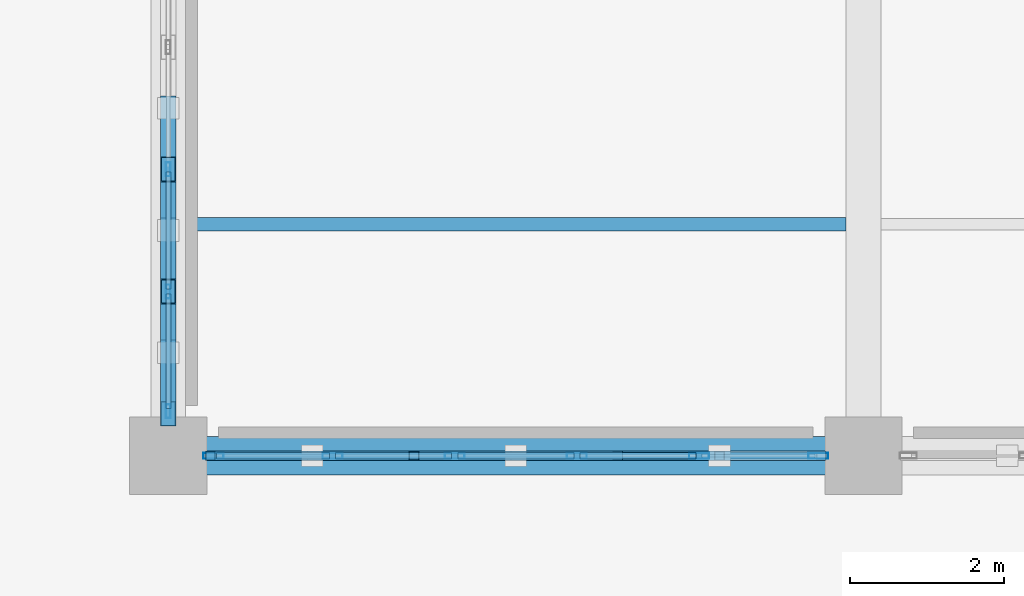
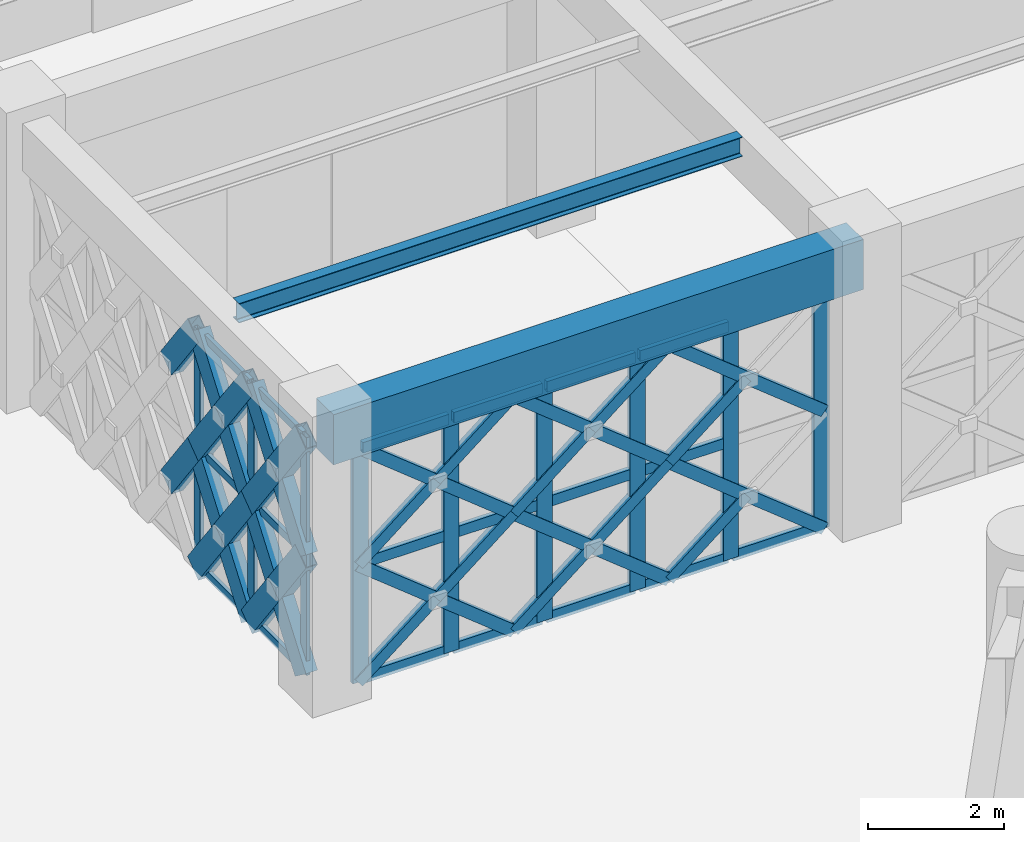
# One storey, part 54 of 140: 58 members, 2 beams, 2 elements without a shape of their own.
"""IFC4 building model written with IfcOpenShell, lengths in metres."""

from ifc_helpers import new_model, si_unit, direction, frame, origin, origin_2d, place, context, subcontext, project, spatial, rectangle, hollow_rectangle, i_section, extrude, material, material_profile, profile_set, type_object, element, aggregate, save


model = new_model("IFC4")

# Units and contexts
model_context = context("Model", 3, precision=1e-05, world=origin(), true_north=direction((0.0, 1.0)))
body_context = subcontext(model_context, "Body", "Model", "MODEL_VIEW")
ifc_project = project(units=[si_unit("LENGTHUNIT", "METRE"), si_unit("AREAUNIT", "SQUARE_METRE"), si_unit("VOLUMEUNIT", "CUBIC_METRE"), si_unit("PLANEANGLEUNIT", "RADIAN"), si_unit("MASSUNIT", "GRAM", prefix="KILO")], contexts=[model_context])

# Site, building, storey
site_placement = place(None, origin())
site = spatial("IfcSite", under=ifc_project, at=site_placement, CompositionType="ELEMENT")
building_placement = place(site_placement, origin())
building = spatial("IfcBuilding", under=site, at=building_placement, Name="Haizhuo Lancet Aquarium", CompositionType="ELEMENT")
storey_placement = place(building_placement, origin())
storey = spatial("IfcBuildingStorey", under=building, at=storey_placement, Name="L00", CompositionType="ELEMENT", Elevation=0.0)

# Beam
ifc_material_1 = material(Name="Concrete C40/50", Category="concrete")
ifc_material_profile_1 = material_profile(ifc_material_1, rectangle(XDim=0.5, YDim=0.89990234375, at=origin_2d()), Name="RC-BM 500x900")
ifc_profile_set_1 = profile_set([ifc_material_profile_1], Name="Concrete C40/50")
beam_type_1 = type_object("IfcBeamType", Name="BM-RC-500x900", PredefinedType="BEAM", material=ifc_profile_set_1)
beam_1_placement = place(storey_placement, frame((-18.0, 27.0, 4.669921875), z_axis=(1.0, 0.0, 0.0), x_axis=(0.0, 1.0, 0.0)))
element("IfcBeam", 1, at=beam_1_placement, inside=storey, type_object=beam_type_1, Name="L00 V5 primary girder BM-L00-V5-004", PredefinedType="BEAM", context=body_context, shape_type="SweptSolid", body=[
    extrude(rectangle(XDim=0.5, YDim=0.89990234375, at=origin_2d()), origin(), (0.0, 0.0, 1.0), 9.0),
])

# Curtain wall, members
ifc_material_2 = material(Name="Aluminium 6063-T6", Category="aluminium")
curtain_wall_type_1 = type_object("IfcCurtainWallType", Name="CWD-7910x4270", PredefinedType="NOTDEFINED", material=ifc_material_2)
curtain_wall_1_placement = place(storey_placement, origin())
curtain_wall_1 = element("IfcCurtainWall", 2, at=curtain_wall_1_placement, inside=storey, type_object=curtain_wall_type_1, Name="L00 curtain wall CW-V5-L00-127", PredefinedType="NOTDEFINED")
ifc_material_profile_2 = material_profile(ifc_material_2, hollow_rectangle(XDim=0.06494140625, YDim=0.179931640625, WallThickness=0.00390625, at=origin_2d()), Name="ALU-M 65x180x4")
ifc_profile_set_2 = profile_set([ifc_material_profile_2], Name="Aluminium 6063-T6")
member_type_1 = type_object("IfcMemberType", Name="CW-MUL-1", PredefinedType="MULLION", material=ifc_profile_set_2)
member_1_placement = place(storey_placement, frame((-18.0, 27.577880859375, 0.0), z_axis=(0.0, 0.0, 1.0), x_axis=(-1.0, 0.0, 0.0)))
member_1 = element("IfcMember", 3, at=member_1_placement, type_object=member_type_1, Name="CWD-79x42 mullion 1", PredefinedType="MULLION", context=body_context, shape_type="SweptSolid", body=[
    extrude(hollow_rectangle(XDim=0.06494140625, YDim=0.179931640625, WallThickness=0.00390625, at=origin_2d()), origin(), (0.0, 0.0, 1.0), 4.27001953125),
])
member_2_placement = place(storey_placement, frame((-18.0, 29.126953125, 0.0), z_axis=(0.0, 0.0, 1.0), x_axis=(-1.0, 0.0, 0.0)))
member_2 = element("IfcMember", 4, at=member_2_placement, type_object=member_type_1, Name="CWD-79x42 mullion 2", PredefinedType="MULLION", context=body_context, shape_type="SweptSolid", body=[
    extrude(hollow_rectangle(XDim=0.06494140625, YDim=0.179931640625, WallThickness=0.00390625, at=origin_2d()), origin(), (0.0, 0.0, 1.0), 4.27001953125),
])
member_3_placement = place(storey_placement, frame((-18.0, 30.708984375, 0.0), z_axis=(0.0, 0.0, 1.0), x_axis=(-1.0, 0.0, 0.0)))
member_3 = element("IfcMember", 5, at=member_3_placement, type_object=member_type_1, Name="CWD-79x42 mullion 3", PredefinedType="MULLION", context=body_context, shape_type="SweptSolid", body=[
    extrude(hollow_rectangle(XDim=0.06494140625, YDim=0.179931640625, WallThickness=0.00390625, at=origin_2d()), origin(), (0.0, 0.0, 1.0), 4.27001953125),
])

curtain_wall_type_2 = type_object("IfcCurtainWallType", Name="CWO-7910x4220", PredefinedType="NOTDEFINED", material=ifc_material_2)
curtain_wall_2_placement = place(storey_placement, origin())
curtain_wall_2 = element("IfcCurtainWall", 6, at=curtain_wall_2_placement, inside=storey, type_object=curtain_wall_type_2, Name="L00 curtain wall CW-V5-L00-126", PredefinedType="NOTDEFINED")
ifc_material_profile_3 = material_profile(ifc_material_2, hollow_rectangle(XDim=0.080078125, YDim=0.260009765625, WallThickness=0.0048828125, at=origin_2d()), Name="ALU-M 80x260x5")
ifc_profile_set_3 = profile_set([ifc_material_profile_3], Name="Aluminium 6063-T6")
member_type_2 = type_object("IfcMemberType", Name="CW-MUL-3", PredefinedType="MULLION", material=ifc_profile_set_3)
member_4_placement = place(storey_placement, frame((-9.5849609375, 27.0, 0.0), z_axis=(0.0, 0.0, 1.0), x_axis=(0.0, -1.0, 0.0)))
member_4 = element("IfcMember", 7, at=member_4_placement, type_object=member_type_2, Name="CWO-79x42 mullion 1", PredefinedType="MULLION", context=body_context, shape_type="SweptSolid", body=[
    extrude(hollow_rectangle(XDim=0.080078125, YDim=0.260009765625, WallThickness=0.0048828125, at=origin_2d()), origin(), (0.0, 0.0, 1.0), 4.219970703125),
])
member_5_placement = place(storey_placement, frame((-11.126953125, 27.0, 0.0), z_axis=(0.0, 0.0, 1.0), x_axis=(0.0, -1.0, 0.0)))
member_5 = element("IfcMember", 8, at=member_5_placement, type_object=member_type_2, Name="CWO-79x42 mullion 2", PredefinedType="MULLION", context=body_context, shape_type="SweptSolid", body=[
    extrude(hollow_rectangle(XDim=0.080078125, YDim=0.260009765625, WallThickness=0.0048828125, at=origin_2d()), origin(), (0.0, 0.0, 1.0), 4.219970703125),
])
member_6_placement = place(storey_placement, frame((-12.708984375, 27.0, 0.0), z_axis=(0.0, 0.0, 1.0), x_axis=(0.0, -1.0, 0.0)))
member_6 = element("IfcMember", 9, at=member_6_placement, type_object=member_type_2, Name="CWO-79x42 mullion 3", PredefinedType="MULLION", context=body_context, shape_type="SweptSolid", body=[
    extrude(hollow_rectangle(XDim=0.080078125, YDim=0.260009765625, WallThickness=0.0048828125, at=origin_2d()), origin(), (0.0, 0.0, 1.0), 4.219970703125),
])
member_7_placement = place(storey_placement, frame((-14.291015625, 27.0, 0.0), z_axis=(0.0, 0.0, 1.0), x_axis=(0.0, -1.0, 0.0)))
member_7 = element("IfcMember", 10, at=member_7_placement, type_object=member_type_2, Name="CWO-79x42 mullion 4", PredefinedType="MULLION", context=body_context, shape_type="SweptSolid", body=[
    extrude(hollow_rectangle(XDim=0.080078125, YDim=0.260009765625, WallThickness=0.0048828125, at=origin_2d()), origin(), (0.0, 0.0, 1.0), 4.219970703125),
])
member_8_placement = place(storey_placement, frame((-15.873046875, 27.0, 0.0), z_axis=(0.0, 0.0, 1.0), x_axis=(0.0, -1.0, 0.0)))
member_8 = element("IfcMember", 11, at=member_8_placement, type_object=member_type_2, Name="CWO-79x42 mullion 5", PredefinedType="MULLION", context=body_context, shape_type="SweptSolid", body=[
    extrude(hollow_rectangle(XDim=0.080078125, YDim=0.260009765625, WallThickness=0.0048828125, at=origin_2d()), origin(), (0.0, 0.0, 1.0), 4.219970703125),
])
member_9_placement = place(storey_placement, frame((-17.4150390625, 27.0, 0.0), z_axis=(0.0, 0.0, 1.0), x_axis=(0.0, -1.0, 0.0)))
member_9 = element("IfcMember", 12, at=member_9_placement, type_object=member_type_2, Name="CWO-79x42 mullion 6", PredefinedType="MULLION", context=body_context, shape_type="SweptSolid", body=[
    extrude(hollow_rectangle(XDim=0.080078125, YDim=0.260009765625, WallThickness=0.0048828125, at=origin_2d()), origin(), (0.0, 0.0, 1.0), 4.219970703125),
])

# Member
ifc_material_profile_4 = material_profile(ifc_material_2, hollow_rectangle(XDim=0.06494140625, YDim=0.139892578125, WallThickness=0.00390625, at=origin_2d()), Name="ALU-T 65x140x4")
ifc_profile_set_4 = profile_set([ifc_material_profile_4], Name="Aluminium 6063-T6")
member_type_3 = type_object("IfcMemberType", Name="CW-TRN-1", PredefinedType="NOTDEFINED", material=ifc_profile_set_4)
member_10_placement = place(storey_placement, frame((-18.0, 27.610107421875, 0.032958984375), z_axis=(0.0, 1.0, 0.0), x_axis=(-1.0, 0.0, 0.0)))
member_10 = element("IfcMember", 13, at=member_10_placement, type_object=member_type_3, Name="CWD-79x42 transom 1.1", ObjectType="TRANSOM", PredefinedType="USERDEFINED", context=body_context, shape_type="SweptSolid", body=[
    extrude(hollow_rectangle(XDim=0.06494140625, YDim=0.139892578125, WallThickness=0.00390625, at=origin_2d()), origin(), (0.0, 0.0, 1.0), 1.48486328125),
])

member_11_placement = place(storey_placement, frame((-18.0, 27.610107421875, 2.135009765625), z_axis=(0.0, 1.0, 0.0), x_axis=(-1.0, 0.0, 0.0)))
member_11 = element("IfcMember", 14, at=member_11_placement, type_object=member_type_3, Name="CWD-79x42 transom 1.2", ObjectType="TRANSOM", PredefinedType="USERDEFINED", context=body_context, shape_type="SweptSolid", body=[
    extrude(hollow_rectangle(XDim=0.06494140625, YDim=0.139892578125, WallThickness=0.00390625, at=origin_2d()), origin(), (0.0, 0.0, 1.0), 1.48486328125),
])

member_12_placement = place(storey_placement, frame((-18.0, 27.610107421875, 4.237060546875), z_axis=(0.0, 1.0, 0.0), x_axis=(-1.0, 0.0, 0.0)))
member_12 = element("IfcMember", 15, at=member_12_placement, type_object=member_type_3, Name="CWD-79x42 transom 1.3", ObjectType="TRANSOM", PredefinedType="USERDEFINED", context=body_context, shape_type="SweptSolid", body=[
    extrude(hollow_rectangle(XDim=0.06494140625, YDim=0.139892578125, WallThickness=0.00390625, at=origin_2d()), origin(), (0.0, 0.0, 1.0), 1.48486328125),
])

member_13_placement = place(storey_placement, frame((-18.0, 29.159912109375, 0.032958984375), z_axis=(0.0, 1.0, 0.0), x_axis=(-1.0, 0.0, 0.0)))
member_13 = element("IfcMember", 16, at=member_13_placement, type_object=member_type_3, Name="CWD-79x42 transom 2.1", ObjectType="TRANSOM", PredefinedType="USERDEFINED", context=body_context, shape_type="SweptSolid", body=[
    extrude(hollow_rectangle(XDim=0.06494140625, YDim=0.139892578125, WallThickness=0.00390625, at=origin_2d()), origin(), (0.0, 0.0, 1.0), 1.51708984375),
])

member_14_placement = place(storey_placement, frame((-18.0, 29.159912109375, 2.135009765625), z_axis=(0.0, 1.0, 0.0), x_axis=(-1.0, 0.0, 0.0)))
member_14 = element("IfcMember", 17, at=member_14_placement, type_object=member_type_3, Name="CWD-79x42 transom 2.2", ObjectType="TRANSOM", PredefinedType="USERDEFINED", context=body_context, shape_type="SweptSolid", body=[
    extrude(hollow_rectangle(XDim=0.06494140625, YDim=0.139892578125, WallThickness=0.00390625, at=origin_2d()), origin(), (0.0, 0.0, 1.0), 1.51708984375),
])

member_15_placement = place(storey_placement, frame((-18.0, 29.159912109375, 4.237060546875), z_axis=(0.0, 1.0, 0.0), x_axis=(-1.0, 0.0, 0.0)))
member_15 = element("IfcMember", 18, at=member_15_placement, type_object=member_type_3, Name="CWD-79x42 transom 2.3", ObjectType="TRANSOM", PredefinedType="USERDEFINED", context=body_context, shape_type="SweptSolid", body=[
    extrude(hollow_rectangle(XDim=0.06494140625, YDim=0.139892578125, WallThickness=0.00390625, at=origin_2d()), origin(), (0.0, 0.0, 1.0), 1.51708984375),
])

aggregate(curtain_wall_1, [member_1, member_2, member_3, member_10, member_11, member_12, member_13, member_14, member_15])

ifc_material_profile_5 = material_profile(ifc_material_2, hollow_rectangle(XDim=0.080078125, YDim=0.18994140625, WallThickness=0.0048828125, at=origin_2d()), Name="ALU-T 80x190x5")
ifc_profile_set_5 = profile_set([ifc_material_profile_5], Name="Aluminium 6063-T6")
member_type_4 = type_object("IfcMemberType", Name="CW-TRN-3", PredefinedType="NOTDEFINED", material=ifc_profile_set_5)
member_16_placement = place(storey_placement, frame((-9.625, 27.0, 0.0400390625), z_axis=(-1.0, 0.0, 0.0), x_axis=(0.0, -1.0, 0.0)))
member_16 = element("IfcMember", 19, at=member_16_placement, type_object=member_type_4, Name="CWO-79x42 transom 1.1", ObjectType="TRANSOM", PredefinedType="USERDEFINED", context=body_context, shape_type="SweptSolid", body=[
    extrude(hollow_rectangle(XDim=0.080078125, YDim=0.18994140625, WallThickness=0.0048828125, at=origin_2d()), origin(), (0.0, 0.0, 1.0), 1.4619140625),
])

member_17_placement = place(storey_placement, frame((-11.1669921875, 27.0, 0.0400390625), z_axis=(-1.0, 0.0, 0.0), x_axis=(0.0, -1.0, 0.0)))
member_17 = element("IfcMember", 20, at=member_17_placement, type_object=member_type_4, Name="CWO-79x42 transom 2.1", ObjectType="TRANSOM", PredefinedType="USERDEFINED", context=body_context, shape_type="SweptSolid", body=[
    extrude(hollow_rectangle(XDim=0.080078125, YDim=0.18994140625, WallThickness=0.0048828125, at=origin_2d()), origin(), (0.0, 0.0, 1.0), 1.501953125),
])

member_18_placement = place(storey_placement, frame((-11.1669921875, 27.0, 2.110107421875), z_axis=(-1.0, 0.0, 0.0), x_axis=(0.0, -1.0, 0.0)))
member_18 = element("IfcMember", 21, at=member_18_placement, type_object=member_type_4, Name="CWO-79x42 transom 2.2", ObjectType="TRANSOM", PredefinedType="USERDEFINED", context=body_context, shape_type="SweptSolid", body=[
    extrude(hollow_rectangle(XDim=0.080078125, YDim=0.18994140625, WallThickness=0.0048828125, at=origin_2d()), origin(), (0.0, 0.0, 1.0), 1.501953125),
])

member_19_placement = place(storey_placement, frame((-11.1669921875, 27.0, 4.179931640625), z_axis=(-1.0, 0.0, 0.0), x_axis=(0.0, -1.0, 0.0)))
member_19 = element("IfcMember", 22, at=member_19_placement, type_object=member_type_4, Name="CWO-79x42 transom 2.3", ObjectType="TRANSOM", PredefinedType="USERDEFINED", context=body_context, shape_type="SweptSolid", body=[
    extrude(hollow_rectangle(XDim=0.080078125, YDim=0.18994140625, WallThickness=0.0048828125, at=origin_2d()), origin(), (0.0, 0.0, 1.0), 1.501953125),
])

member_20_placement = place(storey_placement, frame((-12.7490234375, 27.0, 0.0400390625), z_axis=(-1.0, 0.0, 0.0), x_axis=(0.0, -1.0, 0.0)))
member_20 = element("IfcMember", 23, at=member_20_placement, type_object=member_type_4, Name="CWO-79x42 transom 3.1", ObjectType="TRANSOM", PredefinedType="USERDEFINED", context=body_context, shape_type="SweptSolid", body=[
    extrude(hollow_rectangle(XDim=0.080078125, YDim=0.18994140625, WallThickness=0.0048828125, at=origin_2d()), origin(), (0.0, 0.0, 1.0), 1.501953125),
])

member_21_placement = place(storey_placement, frame((-12.7490234375, 27.0, 2.110107421875), z_axis=(-1.0, 0.0, 0.0), x_axis=(0.0, -1.0, 0.0)))
member_21 = element("IfcMember", 24, at=member_21_placement, type_object=member_type_4, Name="CWO-79x42 transom 3.2", ObjectType="TRANSOM", PredefinedType="USERDEFINED", context=body_context, shape_type="SweptSolid", body=[
    extrude(hollow_rectangle(XDim=0.080078125, YDim=0.18994140625, WallThickness=0.0048828125, at=origin_2d()), origin(), (0.0, 0.0, 1.0), 1.501953125),
])

member_22_placement = place(storey_placement, frame((-12.7490234375, 27.0, 4.179931640625), z_axis=(-1.0, 0.0, 0.0), x_axis=(0.0, -1.0, 0.0)))
member_22 = element("IfcMember", 25, at=member_22_placement, type_object=member_type_4, Name="CWO-79x42 transom 3.3", ObjectType="TRANSOM", PredefinedType="USERDEFINED", context=body_context, shape_type="SweptSolid", body=[
    extrude(hollow_rectangle(XDim=0.080078125, YDim=0.18994140625, WallThickness=0.0048828125, at=origin_2d()), origin(), (0.0, 0.0, 1.0), 1.501953125),
])

member_23_placement = place(storey_placement, frame((-14.3310546875, 27.0, 0.0400390625), z_axis=(-1.0, 0.0, 0.0), x_axis=(0.0, -1.0, 0.0)))
member_23 = element("IfcMember", 26, at=member_23_placement, type_object=member_type_4, Name="CWO-79x42 transom 4.1", ObjectType="TRANSOM", PredefinedType="USERDEFINED", context=body_context, shape_type="SweptSolid", body=[
    extrude(hollow_rectangle(XDim=0.080078125, YDim=0.18994140625, WallThickness=0.0048828125, at=origin_2d()), origin(), (0.0, 0.0, 1.0), 1.501953125),
])

member_24_placement = place(storey_placement, frame((-14.3310546875, 27.0, 2.110107421875), z_axis=(-1.0, 0.0, 0.0), x_axis=(0.0, -1.0, 0.0)))
member_24 = element("IfcMember", 27, at=member_24_placement, type_object=member_type_4, Name="CWO-79x42 transom 4.2", ObjectType="TRANSOM", PredefinedType="USERDEFINED", context=body_context, shape_type="SweptSolid", body=[
    extrude(hollow_rectangle(XDim=0.080078125, YDim=0.18994140625, WallThickness=0.0048828125, at=origin_2d()), origin(), (0.0, 0.0, 1.0), 1.501953125),
])

member_25_placement = place(storey_placement, frame((-14.3310546875, 27.0, 4.179931640625), z_axis=(-1.0, 0.0, 0.0), x_axis=(0.0, -1.0, 0.0)))
member_25 = element("IfcMember", 28, at=member_25_placement, type_object=member_type_4, Name="CWO-79x42 transom 4.3", ObjectType="TRANSOM", PredefinedType="USERDEFINED", context=body_context, shape_type="SweptSolid", body=[
    extrude(hollow_rectangle(XDim=0.080078125, YDim=0.18994140625, WallThickness=0.0048828125, at=origin_2d()), origin(), (0.0, 0.0, 1.0), 1.501953125),
])

member_26_placement = place(storey_placement, frame((-15.9130859375, 27.0, 0.0400390625), z_axis=(-1.0, 0.0, 0.0), x_axis=(0.0, -1.0, 0.0)))
member_26 = element("IfcMember", 29, at=member_26_placement, type_object=member_type_4, Name="CWO-79x42 transom 5.1", ObjectType="TRANSOM", PredefinedType="USERDEFINED", context=body_context, shape_type="SweptSolid", body=[
    extrude(hollow_rectangle(XDim=0.080078125, YDim=0.18994140625, WallThickness=0.0048828125, at=origin_2d()), origin(), (0.0, 0.0, 1.0), 1.4619140625),
])

member_27_placement = place(storey_placement, frame((-15.9130859375, 27.0, 2.110107421875), z_axis=(-1.0, 0.0, 0.0), x_axis=(0.0, -1.0, 0.0)))
member_27 = element("IfcMember", 30, at=member_27_placement, type_object=member_type_4, Name="CWO-79x42 transom 5.2", ObjectType="TRANSOM", PredefinedType="USERDEFINED", context=body_context, shape_type="SweptSolid", body=[
    extrude(hollow_rectangle(XDim=0.080078125, YDim=0.18994140625, WallThickness=0.0048828125, at=origin_2d()), origin(), (0.0, 0.0, 1.0), 1.4619140625),
])

member_28_placement = place(storey_placement, frame((-15.9130859375, 27.0, 4.179931640625), z_axis=(-1.0, 0.0, 0.0), x_axis=(0.0, -1.0, 0.0)))
member_28 = element("IfcMember", 31, at=member_28_placement, type_object=member_type_4, Name="CWO-79x42 transom 5.3", ObjectType="TRANSOM", PredefinedType="USERDEFINED", context=body_context, shape_type="SweptSolid", body=[
    extrude(hollow_rectangle(XDim=0.080078125, YDim=0.18994140625, WallThickness=0.0048828125, at=origin_2d()), origin(), (0.0, 0.0, 1.0), 1.4619140625),
])

aggregate(curtain_wall_2, [member_4, member_5, member_6, member_7, member_8, member_9, member_16, member_17, member_18, member_19, member_20, member_21, member_22, member_23, member_24, member_25, member_26, member_27, member_28])

# Beam
ifc_material_3 = material(Name="Steel S355", Category="steel")
ifc_material_profile_6 = material_profile(ifc_material_3, i_section(OverallWidth=0.175048828125, OverallDepth=0.35009765625, WebThickness=0.007080078125, FlangeThickness=0.010986328125, FilletRadius=0.013916015625, at=origin_2d()), Name="HN 350x175x7x11")
ifc_profile_set_6 = profile_set([ifc_material_profile_6], Name="Steel S355")
beam_type_2 = type_object("IfcBeamType", Name="JST-ST-HN350", PredefinedType="JOIST", material=ifc_profile_set_6)
beam_2_placement = place(storey_placement, frame((-17.77490234375, 30.0, 4.945068359375), z_axis=(1.0, 0.0, 0.0), x_axis=(0.0, 1.0, 0.0)))
element("IfcBeam", 32, at=beam_2_placement, inside=storey, type_object=beam_type_2, Name="L00 V5 secondary floor joist 2", PredefinedType="JOIST", context=body_context, shape_type="SweptSolid", body=[
    extrude(i_section(OverallWidth=0.175048828125, OverallDepth=0.35009765625, WebThickness=0.007080078125, FlangeThickness=0.010986328125, FilletRadius=0.013916015625, at=origin_2d()), origin(), (0.0, 0.0, 1.0), 8.5498046875),
])

# Members
ifc_material_profile_7 = material_profile(ifc_material_3, hollow_rectangle(XDim=0.1201171875, YDim=0.199951171875, WallThickness=0.008056640625, at=origin_2d()), Name="RHS 120x200x8")
ifc_profile_set_7 = profile_set([ifc_material_profile_7], Name="Steel S355")
member_type_5 = type_object("IfcMemberType", Name="MEM-LB-RHS120x200", PredefinedType="BRACE", material=ifc_profile_set_7)
member_29_placement = place(storey_placement, frame((-9.544921875, 27.0, 0.0), z_axis=(-0.780791225208, 0.0, 0.624792015505), x_axis=(0.0, -1.0, 0.0)))
element("IfcMember", 33, at=member_29_placement, inside=storey, type_object=member_type_5, Name="Gothic lancet continuous diagonal brace CW-V5-L00-126 1A", PredefinedType="BRACE", context=body_context, shape_type="SweptSolid", body=[
    extrude(hollow_rectangle(XDim=0.1201171875, YDim=0.199951171875, WallThickness=0.008056640625, at=origin_2d()), origin(), (0.0, 0.0, 1.0), 3.377197265625),
])
member_30_placement = place(storey_placement, frame((-12.181884765625, 27.0, 0.0), z_axis=(0.780685349046, 0.0, 0.624924304044), x_axis=(0.0, 1.0, 0.0)))
element("IfcMember", 34, at=member_30_placement, inside=storey, type_object=member_type_5, Name="Gothic lancet split diagonal brace CW-V5-L00-126 1B1", PredefinedType="BRACE", context=body_context, shape_type="SweptSolid", body=[
    extrude(hollow_rectangle(XDim=0.1201171875, YDim=0.199951171875, WallThickness=0.008056640625, at=origin_2d()), origin(), (0.0, 0.0, 1.0), 1.68798828125),
])
member_31_placement = place(storey_placement, frame((-9.544921875, 27.0, 2.110107421875), z_axis=(-0.780826490351, 0.0, 0.624747942747), x_axis=(0.0, -1.0, 0.0)))
element("IfcMember", 35, at=member_31_placement, inside=storey, type_object=member_type_5, Name="Gothic lancet continuous diagonal brace CW-V5-L00-126 2A", PredefinedType="BRACE", context=body_context, shape_type="SweptSolid", body=[
    extrude(hollow_rectangle(XDim=0.1201171875, YDim=0.199951171875, WallThickness=0.008056640625, at=origin_2d()), origin(), (0.0, 0.0, 1.0), 3.377197265625),
])
member_32_placement = place(storey_placement, frame((-12.181884765625, 27.0, 2.110107421875), z_axis=(0.780685349046, 0.0, 0.624924304044), x_axis=(0.0, 1.0, 0.0)))
element("IfcMember", 36, at=member_32_placement, inside=storey, type_object=member_type_5, Name="Gothic lancet split diagonal brace CW-V5-L00-126 2B1", PredefinedType="BRACE", context=body_context, shape_type="SweptSolid", body=[
    extrude(hollow_rectangle(XDim=0.1201171875, YDim=0.199951171875, WallThickness=0.008056640625, at=origin_2d()), origin(), (0.0, 0.0, 1.0), 1.68798828125),
])
member_33_placement = place(storey_placement, frame((-12.181884765625, 27.0, 0.0), z_axis=(-0.780706546647, 0.0, 0.624897822066), x_axis=(0.0, -1.0, 0.0)))
element("IfcMember", 37, at=member_33_placement, inside=storey, type_object=member_type_5, Name="Gothic lancet continuous diagonal brace CW-V5-L00-126 3A", PredefinedType="BRACE", context=body_context, shape_type="SweptSolid", body=[
    extrude(hollow_rectangle(XDim=0.1201171875, YDim=0.199951171875, WallThickness=0.008056640625, at=origin_2d()), origin(), (0.0, 0.0, 1.0), 3.376708984375),
])
member_34_placement = place(storey_placement, frame((-14.818115234375, 27.0, 0.0), z_axis=(0.78074181991, 0.0, 0.624853751404), x_axis=(0.0, 1.0, 0.0)))
element("IfcMember", 38, at=member_34_placement, inside=storey, type_object=member_type_5, Name="Gothic lancet split diagonal brace CW-V5-L00-126 3B1", PredefinedType="BRACE", context=body_context, shape_type="SweptSolid", body=[
    extrude(hollow_rectangle(XDim=0.1201171875, YDim=0.199951171875, WallThickness=0.008056640625, at=origin_2d()), origin(), (0.0, 0.0, 1.0), 1.688232421875),
])
member_35_placement = place(storey_placement, frame((-13.5, 27.0, 1.054931640625), z_axis=(0.780671274084, 0.0, 0.624941886755), x_axis=(0.0, 1.0, 0.0)))
element("IfcMember", 39, at=member_35_placement, inside=storey, type_object=member_type_5, Name="Gothic lancet split diagonal brace CW-V5-L00-126 3B2", PredefinedType="BRACE", context=body_context, shape_type="SweptSolid", body=[
    extrude(hollow_rectangle(XDim=0.1201171875, YDim=0.199951171875, WallThickness=0.008056640625, at=origin_2d()), origin(), (0.0, 0.0, 1.0), 1.6884765625),
])
member_36_placement = place(storey_placement, frame((-12.181884765625, 27.0, 2.110107421875), z_axis=(-0.78074181991, 0.0, 0.624853751404), x_axis=(0.0, -1.0, 0.0)))
element("IfcMember", 40, at=member_36_placement, inside=storey, type_object=member_type_5, Name="Gothic lancet continuous diagonal brace CW-V5-L00-126 4A", PredefinedType="BRACE", context=body_context, shape_type="SweptSolid", body=[
    extrude(hollow_rectangle(XDim=0.1201171875, YDim=0.199951171875, WallThickness=0.008056640625, at=origin_2d()), origin(), (0.0, 0.0, 1.0), 3.37646484375),
])
for number, where, z_axis, x_axis, name in (
    (41, (-14.818115234375, 27.0, 2.110107421875), (0.78074181991, 0.0, 0.624853751404), (0.0, 1.0, 0.0), "Gothic lancet split diagonal brace CW-V5-L00-126 4B1"),
    (42, (-13.5, 27.0, 3.1650390625), (0.78074181991, 0.0, 0.624853751404), (0.0, 1.0, 0.0), "Gothic lancet split diagonal brace CW-V5-L00-126 4B2"),
):
    element("IfcMember", number, at=place(storey_placement, frame(where, z_axis=z_axis, x_axis=x_axis)), inside=storey, type_object=member_type_5, Name=name, PredefinedType="BRACE", context=body_context, shape_type="SweptSolid", body=[
        extrude(hollow_rectangle(XDim=0.1201171875, YDim=0.199951171875, WallThickness=0.008056640625, at=origin_2d()), origin(), (0.0, 0.0, 1.0), 1.688232421875),
    ])
member_37_placement = place(storey_placement, frame((-14.818115234375, 27.0, 0.0), z_axis=(-0.780791225208, 0.0, 0.624792015505), x_axis=(0.0, -1.0, 0.0)))
element("IfcMember", 43, at=member_37_placement, inside=storey, type_object=member_type_5, Name="Gothic lancet continuous diagonal brace CW-V5-L00-126 5A", PredefinedType="BRACE", context=body_context, shape_type="SweptSolid", body=[
    extrude(hollow_rectangle(XDim=0.1201171875, YDim=0.199951171875, WallThickness=0.008056640625, at=origin_2d()), origin(), (0.0, 0.0, 1.0), 3.377197265625),
])
member_38_placement = place(storey_placement, frame((-17.455078125, 27.0, 0.0), z_axis=(0.7809675122, 0.0, 0.624571649123), x_axis=(0.0, 1.0, 0.0)))
element("IfcMember", 44, at=member_38_placement, inside=storey, type_object=member_type_5, Name="Gothic lancet split diagonal brace CW-V5-L00-126 5B1", PredefinedType="BRACE", context=body_context, shape_type="SweptSolid", body=[
    extrude(hollow_rectangle(XDim=0.1201171875, YDim=0.199951171875, WallThickness=0.008056640625, at=origin_2d()), origin(), (0.0, 0.0, 1.0), 1.68896484375),
])
member_39_placement = place(storey_placement, frame((-16.135986328125, 27.0, 1.054931640625), z_axis=(0.780614792394, 0.0, 0.625012436593), x_axis=(0.0, 1.0, 0.0)))
element("IfcMember", 45, at=member_39_placement, inside=storey, type_object=member_type_5, Name="Gothic lancet split diagonal brace CW-V5-L00-126 5B2", PredefinedType="BRACE", context=body_context, shape_type="SweptSolid", body=[
    extrude(hollow_rectangle(XDim=0.1201171875, YDim=0.199951171875, WallThickness=0.008056640625, at=origin_2d()), origin(), (0.0, 0.0, 1.0), 1.688232421875),
])
member_40_placement = place(storey_placement, frame((-14.818115234375, 27.0, 2.110107421875), z_axis=(-0.780826490351, 0.0, 0.624747942747), x_axis=(0.0, -1.0, 0.0)))
element("IfcMember", 46, at=member_40_placement, inside=storey, type_object=member_type_5, Name="Gothic lancet continuous diagonal brace CW-V5-L00-126 6A", PredefinedType="BRACE", context=body_context, shape_type="SweptSolid", body=[
    extrude(hollow_rectangle(XDim=0.1201171875, YDim=0.199951171875, WallThickness=0.008056640625, at=origin_2d()), origin(), (0.0, 0.0, 1.0), 3.377197265625),
])
member_41_placement = place(storey_placement, frame((-17.455078125, 27.0, 2.110107421875), z_axis=(0.7809675122, 0.0, 0.624571649123), x_axis=(0.0, 1.0, 0.0)))
element("IfcMember", 47, at=member_41_placement, inside=storey, type_object=member_type_5, Name="Gothic lancet split diagonal brace CW-V5-L00-126 6B1", PredefinedType="BRACE", context=body_context, shape_type="SweptSolid", body=[
    extrude(hollow_rectangle(XDim=0.1201171875, YDim=0.199951171875, WallThickness=0.008056640625, at=origin_2d()), origin(), (0.0, 0.0, 1.0), 1.68896484375),
])
member_42_placement = place(storey_placement, frame((-16.135986328125, 27.0, 3.1650390625), z_axis=(0.780685349046, 0.0, 0.624924304044), x_axis=(0.0, 1.0, 0.0)))
element("IfcMember", 48, at=member_42_placement, inside=storey, type_object=member_type_5, Name="Gothic lancet split diagonal brace CW-V5-L00-126 6B2", PredefinedType="BRACE", context=body_context, shape_type="SweptSolid", body=[
    extrude(hollow_rectangle(XDim=0.1201171875, YDim=0.199951171875, WallThickness=0.008056640625, at=origin_2d()), origin(), (0.0, 0.0, 1.0), 1.68798828125),
])
ifc_material_profile_8 = material_profile(ifc_material_3, hollow_rectangle(XDim=0.199951171875, YDim=0.39990234375, WallThickness=0.011962890625, at=origin_2d()), Name="RHS 200x400x12")
ifc_profile_set_8 = profile_set([ifc_material_profile_8], Name="Steel S355")
member_type_6 = type_object("IfcMemberType", Name="MEM-LB-RHS200x400", PredefinedType="BRACE", material=ifc_profile_set_8)
member_43_placement = place(storey_placement, frame((-18.0, 27.544921875, 0.0), z_axis=(0.0, 0.595359375958, 0.803459528202), x_axis=(-1.0, 0.0, 0.0)))
element("IfcMember", 49, at=member_43_placement, inside=storey, type_object=member_type_6, Name="Gothic lancet continuous diagonal brace CW-V5-L00-127 1A", PredefinedType="BRACE", context=body_context, shape_type="SweptSolid", body=[
    extrude(hollow_rectangle(XDim=0.199951171875, YDim=0.39990234375, WallThickness=0.011962890625, at=origin_2d()), origin(), (0.0, 0.0, 1.0), 2.6572265625),
])
member_44_placement = place(storey_placement, frame((-18.0, 29.126953125, 0.0), z_axis=(0.0, -0.595579178992, 0.803296608702), x_axis=(1.0, 0.0, 0.0)))
element("IfcMember", 50, at=member_44_placement, inside=storey, type_object=member_type_6, Name="Gothic lancet split diagonal brace CW-V5-L00-127 1B1", PredefinedType="BRACE", context=body_context, shape_type="SweptSolid", body=[
    extrude(hollow_rectangle(XDim=0.199951171875, YDim=0.39990234375, WallThickness=0.011962890625, at=origin_2d()), origin(), (0.0, 0.0, 1.0), 1.328125),
])
member_45_placement = place(storey_placement, frame((-18.0, 28.3359375, 1.06689453125), z_axis=(0.0, -0.595139690604, 0.803622267404), x_axis=(1.0, 0.0, 0.0)))
element("IfcMember", 51, at=member_45_placement, inside=storey, type_object=member_type_6, Name="Gothic lancet split diagonal brace CW-V5-L00-127 1B2", PredefinedType="BRACE", context=body_context, shape_type="SweptSolid", body=[
    extrude(hollow_rectangle(XDim=0.199951171875, YDim=0.39990234375, WallThickness=0.011962890625, at=origin_2d()), origin(), (0.0, 0.0, 1.0), 1.3291015625),
])
member_46_placement = place(storey_placement, frame((-18.0, 27.544921875, 2.135009765625), z_axis=(0.0, 0.595359375958, 0.803459528202), x_axis=(-1.0, 0.0, 0.0)))
element("IfcMember", 52, at=member_46_placement, inside=storey, type_object=member_type_6, Name="Gothic lancet continuous diagonal brace CW-V5-L00-127 2A", PredefinedType="BRACE", context=body_context, shape_type="SweptSolid", body=[
    extrude(hollow_rectangle(XDim=0.199951171875, YDim=0.39990234375, WallThickness=0.011962890625, at=origin_2d()), origin(), (0.0, 0.0, 1.0), 2.6572265625),
])
member_47_placement = place(storey_placement, frame((-18.0, 29.126953125, 2.135009765625), z_axis=(0.0, -0.595579178992, 0.803296608702), x_axis=(1.0, 0.0, 0.0)))
element("IfcMember", 53, at=member_47_placement, inside=storey, type_object=member_type_6, Name="Gothic lancet split diagonal brace CW-V5-L00-127 2B1", PredefinedType="BRACE", context=body_context, shape_type="SweptSolid", body=[
    extrude(hollow_rectangle(XDim=0.199951171875, YDim=0.39990234375, WallThickness=0.011962890625, at=origin_2d()), origin(), (0.0, 0.0, 1.0), 1.328125),
])
member_48_placement = place(storey_placement, frame((-18.0, 28.3359375, 3.201904296875), z_axis=(0.0, -0.595139690604, 0.803622267404), x_axis=(1.0, 0.0, 0.0)))
element("IfcMember", 54, at=member_48_placement, inside=storey, type_object=member_type_6, Name="Gothic lancet split diagonal brace CW-V5-L00-127 2B2", PredefinedType="BRACE", context=body_context, shape_type="SweptSolid", body=[
    extrude(hollow_rectangle(XDim=0.199951171875, YDim=0.39990234375, WallThickness=0.011962890625, at=origin_2d()), origin(), (0.0, 0.0, 1.0), 1.3291015625),
])
member_49_placement = place(storey_placement, frame((-18.0, 29.126953125, 0.0), z_axis=(0.0, 0.595359375958, 0.803459528202), x_axis=(-1.0, 0.0, 0.0)))
element("IfcMember", 55, at=member_49_placement, inside=storey, type_object=member_type_6, Name="Gothic lancet continuous diagonal brace CW-V5-L00-127 3A", PredefinedType="BRACE", context=body_context, shape_type="SweptSolid", body=[
    extrude(hollow_rectangle(XDim=0.199951171875, YDim=0.39990234375, WallThickness=0.011962890625, at=origin_2d()), origin(), (0.0, 0.0, 1.0), 2.6572265625),
])
member_50_placement = place(storey_placement, frame((-18.0, 30.708984375, 0.0), z_axis=(0.0, -0.595579178992, 0.803296608702), x_axis=(1.0, 0.0, 0.0)))
element("IfcMember", 56, at=member_50_placement, inside=storey, type_object=member_type_6, Name="Gothic lancet split diagonal brace CW-V5-L00-127 3B1", PredefinedType="BRACE", context=body_context, shape_type="SweptSolid", body=[
    extrude(hollow_rectangle(XDim=0.199951171875, YDim=0.39990234375, WallThickness=0.011962890625, at=origin_2d()), origin(), (0.0, 0.0, 1.0), 1.328125),
])
member_51_placement = place(storey_placement, frame((-18.0, 29.91796875, 1.06689453125), z_axis=(0.0, -0.595139690604, 0.803622267404), x_axis=(1.0, 0.0, 0.0)))
element("IfcMember", 57, at=member_51_placement, inside=storey, type_object=member_type_6, Name="Gothic lancet split diagonal brace CW-V5-L00-127 3B2", PredefinedType="BRACE", context=body_context, shape_type="SweptSolid", body=[
    extrude(hollow_rectangle(XDim=0.199951171875, YDim=0.39990234375, WallThickness=0.011962890625, at=origin_2d()), origin(), (0.0, 0.0, 1.0), 1.3291015625),
])
member_52_placement = place(storey_placement, frame((-18.0, 29.126953125, 2.135009765625), z_axis=(0.0, 0.595359375958, 0.803459528202), x_axis=(-1.0, 0.0, 0.0)))
element("IfcMember", 58, at=member_52_placement, inside=storey, type_object=member_type_6, Name="Gothic lancet continuous diagonal brace CW-V5-L00-127 4A", PredefinedType="BRACE", context=body_context, shape_type="SweptSolid", body=[
    extrude(hollow_rectangle(XDim=0.199951171875, YDim=0.39990234375, WallThickness=0.011962890625, at=origin_2d()), origin(), (0.0, 0.0, 1.0), 2.6572265625),
])
member_53_placement = place(storey_placement, frame((-18.0, 30.708984375, 2.135009765625), z_axis=(0.0, -0.595579178992, 0.803296608702), x_axis=(1.0, 0.0, 0.0)))
element("IfcMember", 59, at=member_53_placement, inside=storey, type_object=member_type_6, Name="Gothic lancet split diagonal brace CW-V5-L00-127 4B1", PredefinedType="BRACE", context=body_context, shape_type="SweptSolid", body=[
    extrude(hollow_rectangle(XDim=0.199951171875, YDim=0.39990234375, WallThickness=0.011962890625, at=origin_2d()), origin(), (0.0, 0.0, 1.0), 1.328125),
])
for number, where, z_axis, x_axis, name in (
    (60, (-18.0, 29.91796875, 3.201904296875), (0.0, -0.595139690604, 0.803622267404), (1.0, 0.0, 0.0), "Gothic lancet split diagonal brace CW-V5-L00-127 4B2"),
    (61, (-18.0, 31.5, 1.06689453125), (0.0, -0.595139690604, 0.803622267404), (1.0, 0.0, 0.0), "Gothic lancet split diagonal brace CW-V5-L00-127 5B2"),
    (62, (-18.0, 31.5, 3.201904296875), (0.0, -0.595139690604, 0.803622267404), (1.0, 0.0, 0.0), "Gothic lancet split diagonal brace CW-V5-L00-127 6B2"),
):
    element("IfcMember", number, at=place(storey_placement, frame(where, z_axis=z_axis, x_axis=x_axis)), inside=storey, type_object=member_type_6, Name=name, PredefinedType="BRACE", context=body_context, shape_type="SweptSolid", body=[
        extrude(hollow_rectangle(XDim=0.199951171875, YDim=0.39990234375, WallThickness=0.011962890625, at=origin_2d()), origin(), (0.0, 0.0, 1.0), 1.3291015625),
    ])

save(model, "model.ifc")
